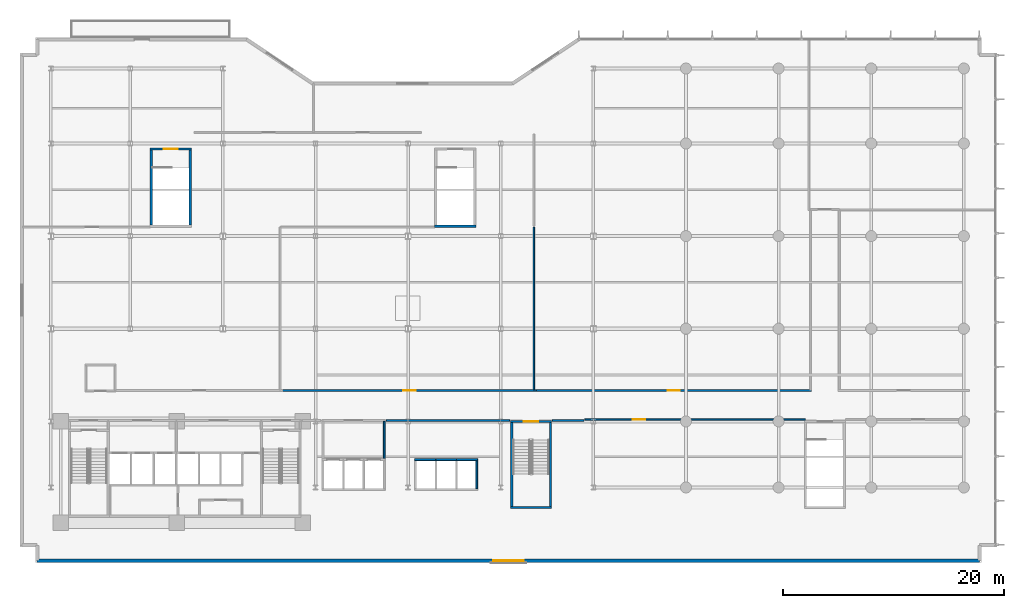
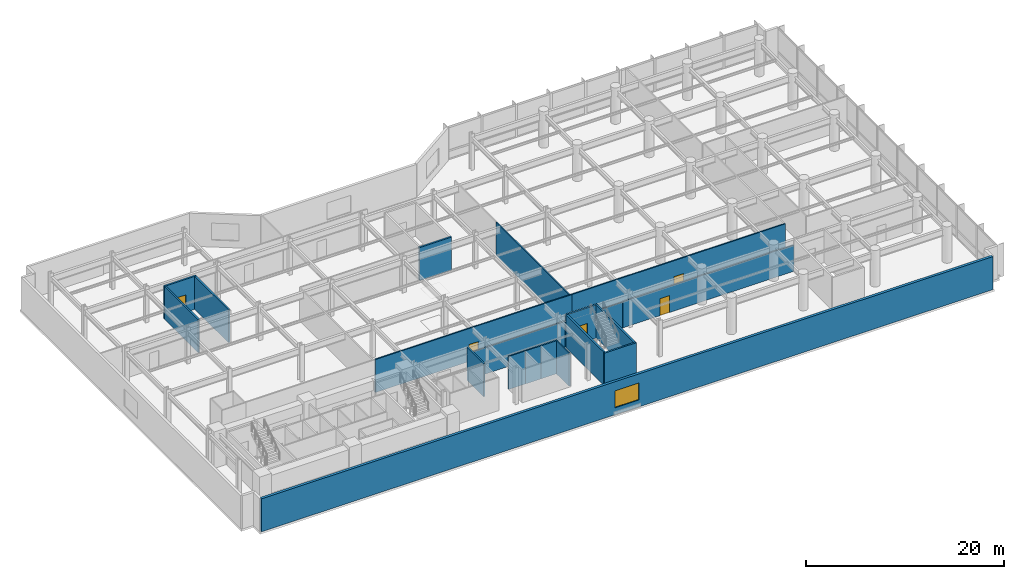
# One storey, part 16 of 23: 20 walls, 5 doors, 1 window, 6 openings.
"""IFC4 building model written with IfcOpenShell, lengths in metres."""

from ifc_helpers import new_model, si_unit, direction, frame, frame_2d, origin, place, context, subcontext, project, spatial, rectangle, extrude, material, layer, layer_set, type_object, element, fill, save


model = new_model("IFC4")

# Units and contexts
model_context = context("Model", 3, precision=1e-05, world=origin(), true_north=direction((0.0, 1.0)))
body_context = subcontext(model_context, "Body", "Model", "MODEL_VIEW")
ifc_project = project(units=[si_unit("LENGTHUNIT", "METRE"), si_unit("AREAUNIT", "SQUARE_METRE"), si_unit("VOLUMEUNIT", "CUBIC_METRE"), si_unit("PLANEANGLEUNIT", "RADIAN"), si_unit("MASSUNIT", "GRAM", prefix="KILO")], contexts=[model_context])

# Site, building, storey
site_placement = place(None, origin())
site = spatial("IfcSite", under=ifc_project, at=site_placement, CompositionType="ELEMENT")
building_placement = place(site_placement, origin())
building = spatial("IfcBuilding", under=site, at=building_placement, Name="Varnakote Quay Hospital", CompositionType="ELEMENT")
storey_placement = place(building_placement, frame((0.0, 0.0, 18.0)))
storey = spatial("IfcBuildingStorey", under=building, at=storey_placement, Name="L04", CompositionType="ELEMENT", Elevation=18.0)

# Walls
ifc_material_1 = material(Name="Fire-rated acoustic gypsum stud wall", Category="gypsum")
ifc_layer_1 = layer(ifc_material_1, 0.159912109375)
ifc_layer_set_1 = layer_set([ifc_layer_1], Name="Fire-rated acoustic gypsum stud wall")
wall_type_1 = type_object("IfcWallType", Name="WL-COMP-160", PredefinedType="PARTITIONING", material=ifc_layer_set_1)
wall_1_placement = place(storey_placement, frame((31.429931640625, 8.610107421875, 0.0), z_axis=(0.0, 0.0, 1.0), x_axis=(0.0, 1.0, 0.0)))
element("IfcWall", 1, at=wall_1_placement, inside=storey, type_object=wall_type_1, Name="L04 Low-Rise Lift Lobby East Wall", PredefinedType="PARTITIONING", context=body_context, shape_type="SweptSolid", body=[
    extrude(rectangle(XDim=3.389892578125, YDim=0.159912109375, at=frame_2d((1.69482421875, 0.0))), origin(), (0.0, 0.0, 1.0), 4.080078125),
])
wall_2_placement = place(storey_placement, frame((31.6298828125, 12.080078125, 0.0), z_axis=(0.0, 0.0, 1.0), x_axis=(1.0, 0.0, 0.0)))
element("IfcWall", 2, at=wall_2_placement, inside=storey, type_object=wall_type_1, Name="L04 Corridor South Gap Wall", PredefinedType="PARTITIONING", context=body_context, shape_type="SweptSolid", body=[
    extrude(rectangle(XDim=11.180908203125, YDim=0.159912109375, at=frame_2d((5.59033203125, 0.0))), origin(), (0.0, 0.0, 1.0), 3.2548828125),
])
wall_3_placement = place(storey_placement, frame((46.689208984375, 12.080078125, 0.0), z_axis=(0.0, 0.0, 1.0), x_axis=(1.0, 0.0, 0.0)))
element("IfcWall", 3, at=wall_3_placement, inside=storey, type_object=wall_type_1, Name="L04 Corridor South Gap Wall", PredefinedType="PARTITIONING", context=body_context, shape_type="SweptSolid", body=[
    extrude(rectangle(XDim=2.843017578125, YDim=0.159912109375, at=frame_2d((1.42138671875, 0.0))), origin(), (0.0, 0.0, 1.0), 3.2548828125),
])

# Wall, opening, window
ifc_material_2 = material(Name="Precast concrete N50 (f'c 50 MPa)", Category="concrete")
ifc_layer_2 = layer(ifc_material_2, 0.300048828125)
ifc_layer_set_2 = layer_set([ifc_layer_2], Name="Precast concrete N50 (f'c 50 MPa)")
wall_type_2 = type_object("IfcWallType", Name="WL-EXT-BRICK-300", PredefinedType="STANDARD", material=ifc_layer_set_2)
wall_4_placement = place(storey_placement, frame((-0.0400390625, -0.639892578125, 0.0), z_axis=(0.0, 0.0, 1.0), x_axis=(1.0, 0.0, 0.0)))
wall_4 = element("IfcWall", 4, at=wall_4_placement, inside=storey, type_object=wall_type_2, Name="L04 Brick-Faced Precast Exterior Wall", PredefinedType="STANDARD", context=body_context, shape_type="SweptSolid", body=[
    extrude(rectangle(XDim=85.47998046875, YDim=0.300048828125, at=frame_2d((42.739990234375, 0.0))), origin(), (0.0, 0.0, 1.0), 4.080078125),
])
opening_1_placement = place(wall_4_placement, frame((41.340087890625, 0.0, 0.85009765625)))
opening_1 = element("IfcOpeningElement", 5, at=opening_1_placement, cuts=wall_4, Name="Opening WN-0025", PredefinedType="OPENING", context=body_context, shape_type="SweptSolid", body=[
    extrude(rectangle(XDim=2.800048828125, YDim=2.10009765625, at=frame_2d((1.39990234375, 1.050048828125))), frame((0.0, 0.159912109375, 0.0), z_axis=(0.0, -1.0, 0.0), x_axis=(1.0, 0.0, 0.0)), (0.0, 0.0, 1.0), 0.320068359375),
])
ifc_material_3 = material(Name="Double-glazed acoustic laminated glass", Category="glass")
window_type = type_object("IfcWindowType", Name="WIN-POD-2800x2100", PartitioningType="SINGLE_PANEL", PredefinedType="WINDOW", material=ifc_material_3)
window_placement = place(opening_1_placement, origin())
window = element("IfcWindow", 6, at=window_placement, inside=storey, type_object=window_type, Name="L04 Solar-Control Clinical Window", OverallHeight=2.10009765625, OverallWidth=2.800048828125, PartitioningType="SINGLE_PANEL", PredefinedType="WINDOW", context=body_context, shape_type="SweptSolid", body=[
    extrude(rectangle(XDim=2.800048828125, YDim=2.10009765625, at=frame_2d((1.39990234375, 1.050048828125))), frame((0.0, 0.030029296875, 0.0), z_axis=(0.0, -1.0, 0.0), x_axis=(1.0, 0.0, 0.0)), (0.0, 0.0, 1.0), 0.06005859375),
])
fill(opening_1, window)

# Walls
ifc_material_4 = material(Name="Concrete N50 (f'c 50 MPa)", Category="concrete")
ifc_layer_3 = layer(ifc_material_4, 0.159912109375)
ifc_layer_set_3 = layer_set([ifc_layer_3], Name="Concrete N50 (f'c 50 MPa)")
wall_type_3 = type_object("IfcWallType", Name="WL-SHAFT-N50-160", PredefinedType="SHEAR", material=ifc_layer_set_3)
wall_5_placement = place(storey_placement, frame((39.830078125, 5.89990234375, 0.0), z_axis=(0.0, 0.0, 1.0), x_axis=(0.0, 1.0, 0.0)))
element("IfcWall", 7, at=wall_5_placement, inside=storey, type_object=wall_type_3, Name="L04 MID Lift Bank East Shear Wall", PredefinedType="SHEAR", context=body_context, shape_type="SweptSolid", body=[
    extrude(rectangle(XDim=2.550048828125, YDim=0.159912109375, at=frame_2d((1.27490234375, 0.0))), origin(), (0.0, 0.0, 1.0), 4.080078125),
])
wall_6_placement = place(storey_placement, frame((34.18994140625, 8.530029296875, 0.0), z_axis=(0.0, 0.0, 1.0), x_axis=(1.0, 0.0, 0.0)))
element("IfcWall", 8, at=wall_6_placement, inside=storey, type_object=wall_type_3, Name="L04 LF-PM1 Hoistway Front Wall", PredefinedType="SHEAR", context=body_context, shape_type="SweptSolid", body=[
    extrude(rectangle(XDim=1.93505859375, YDim=0.159912109375, at=frame_2d((0.967529296875, 0.0))), origin(), (0.0, 0.0, 1.0), 4.080078125),
])
wall_7_placement = place(storey_placement, frame((36.125, 8.530029296875, 0.0), z_axis=(0.0, 0.0, 1.0), x_axis=(1.0, 0.0, 0.0)))
element("IfcWall", 9, at=wall_7_placement, inside=storey, type_object=wall_type_3, Name="L04 LF-PM2 Hoistway Front Wall", PredefinedType="SHEAR", context=body_context, shape_type="SweptSolid", body=[
    extrude(rectangle(XDim=1.85009765625, YDim=0.159912109375, at=frame_2d((0.925048828125, 0.0))), origin(), (0.0, 0.0, 1.0), 4.080078125),
])
wall_8_placement = place(storey_placement, frame((37.97509765625, 8.530029296875, 0.0), z_axis=(0.0, 0.0, 1.0), x_axis=(1.0, 0.0, 0.0)))
element("IfcWall", 10, at=wall_8_placement, inside=storey, type_object=wall_type_3, Name="L04 LF-PM3 Hoistway Front Wall", PredefinedType="SHEAR", context=body_context, shape_type="SweptSolid", body=[
    extrude(rectangle(XDim=1.934814453125, YDim=0.159912109375, at=frame_2d((0.96728515625, 0.0))), origin(), (0.0, 0.0, 1.0), 4.080078125),
])
ifc_material_5 = material(Name="Concrete N50 (f'c 50 MPa)", Category="concrete")
ifc_layer_4 = layer(ifc_material_5, 0.199951171875)
ifc_layer_set_4 = layer_set([ifc_layer_4], Name="Concrete N50 (f'c 50 MPa)")
wall_type_4 = type_object("IfcWallType", Name="WL-SHAFT-N50-200", PredefinedType="SHEAR", material=ifc_layer_set_4)
wall_9_placement = place(storey_placement, frame((42.89990234375, 4.199951171875, 0.0), z_axis=(0.0, 0.0, 1.0), x_axis=(1.0, 0.0, 0.0)))
element("IfcWall", 11, at=wall_9_placement, inside=storey, type_object=wall_type_4, Name="L04 Stair ST3 South Shaft Wall", PredefinedType="SHEAR", context=body_context, shape_type="SweptSolid", body=[
    extrude(rectangle(XDim=3.7001953125, YDim=0.199951171875, at=frame_2d((1.85009765625, 0.0))), origin(), (0.0, 0.0, 1.0), 4.080078125),
])
for number, where, z_axis, x_axis, name in (
    (12, (43.0, 4.300048828125, 0.0), (0.0, 0.0, 1.0), (0.0, 1.0, 0.0), "L04 Stair ST3 West Shaft Wall"),
    (13, (46.5, 4.300048828125, 0.0), (0.0, 0.0, 1.0), (0.0, 1.0, 0.0), "L04 Stair ST3 East Shaft Wall"),
):
    element("IfcWall", number, at=place(storey_placement, frame(where, z_axis=z_axis, x_axis=x_axis)), inside=storey, type_object=wall_type_4, Name=name, PredefinedType="SHEAR", context=body_context, shape_type="SweptSolid", body=[
        extrude(rectangle(XDim=7.599853515625, YDim=0.199951171875, at=frame_2d((3.7998046875, 0.0))), origin(), (0.0, 0.0, 1.0), 4.080078125),
    ])

# Wall, opening, door
wall_10_placement = place(storey_placement, frame((42.89990234375, 12.0, 0.0), z_axis=(0.0, 0.0, 1.0), x_axis=(1.0, 0.0, 0.0)))
wall_10 = element("IfcWall", 14, at=wall_10_placement, inside=storey, type_object=wall_type_4, Name="L04 Stair ST3 Exit Wall", PredefinedType="SHEAR", context=body_context, shape_type="SweptSolid", body=[
    extrude(rectangle(XDim=3.7001953125, YDim=0.199951171875, at=frame_2d((1.85009765625, 0.0))), origin(), (0.0, 0.0, 1.0), 4.080078125),
])
opening_2_placement = place(wall_10_placement, frame((1.199951171875, 0.0, 0.0)))
opening_2 = element("IfcOpeningElement", 15, at=opening_2_placement, cuts=wall_10, Name="Opening D-ST3-L04", PredefinedType="OPENING", context=body_context, shape_type="SweptSolid", body=[
    extrude(rectangle(XDim=1.300048828125, YDim=2.14990234375, at=frame_2d((0.64990234375, 1.074951171875))), frame((0.0, 0.10986328125, 0.0), z_axis=(0.0, -1.0, 0.0), x_axis=(1.0, 0.0, 0.0)), (0.0, 0.0, 1.0), 0.219970703125),
])
ifc_material_6 = material(Name="Fire-rated ceramic-glazed timber exit door", Category="wood")
door_type_1 = type_object("IfcDoorType", Name="DR-STAIR-FD60S-1300x2150", OperationType="NOTDEFINED", PredefinedType="DOOR", material=ifc_material_6)
door_1_placement = place(opening_2_placement, origin())
door_1 = element("IfcDoor", 16, at=door_1_placement, inside=storey, type_object=door_type_1, Name="L04 Stair ST3 Fire Exit Door", OperationType="SINGLE_SWING_LEFT", OverallHeight=2.14990234375, OverallWidth=1.300048828125, PredefinedType="DOOR", context=body_context, shape_type="SweptSolid", body=[
    extrude(rectangle(XDim=1.300048828125, YDim=2.14990234375, at=frame_2d((0.64990234375, 1.074951171875))), frame((0.0, 0.02490234375, 0.0), z_axis=(0.0, -1.0, 0.0), x_axis=(1.0, 0.0, 0.0)), (0.0, 0.0, 1.0), 0.050048828125),
])
fill(opening_2, door_1)

# Walls
for number, where, z_axis, x_axis, name in (
    (17, (10.300048828125, 29.800048828125, 0.0), (0.0, 0.0, 1.0), (0.0, 1.0, 0.0), "L04 Stair ST4 West Shaft Wall"),
    (18, (13.840087890625, 29.800048828125, 0.0), (0.0, 0.0, 1.0), (0.0, 1.0, 0.0), "L04 Stair ST4 East Shaft Wall"),
):
    element("IfcWall", number, at=place(storey_placement, frame(where, z_axis=z_axis, x_axis=x_axis)), inside=storey, type_object=wall_type_4, Name=name, PredefinedType="SHEAR", context=body_context, shape_type="SweptSolid", body=[
        extrude(rectangle(XDim=6.800048828125, YDim=0.199951171875, at=frame_2d((3.39990234375, 0.0))), origin(), (0.0, 0.0, 1.0), 4.080078125),
    ])

# Wall, opening, door
wall_11_placement = place(storey_placement, frame((10.199951171875, 36.699951171875, 0.0), z_axis=(0.0, 0.0, 1.0), x_axis=(1.0, 0.0, 0.0)))
wall_11 = element("IfcWall", 19, at=wall_11_placement, inside=storey, type_object=wall_type_4, Name="L04 Stair ST4 Exit Wall", PredefinedType="SHEAR", context=body_context, shape_type="SweptSolid", body=[
    extrude(rectangle(XDim=3.739990234375, YDim=0.199951171875, at=frame_2d((1.8701171875, 0.0))), origin(), (0.0, 0.0, 1.0), 4.080078125),
])
opening_3_placement = place(wall_11_placement, frame((1.219970703125, 0.0, 0.0)))
opening_3 = element("IfcOpeningElement", 20, at=opening_3_placement, cuts=wall_11, Name="Opening D-ST4-L04", PredefinedType="OPENING", context=body_context, shape_type="SweptSolid", body=[
    extrude(rectangle(XDim=1.300048828125, YDim=2.14990234375, at=frame_2d((0.64990234375, 1.074951171875))), frame((0.0, 0.10986328125, 0.0), z_axis=(0.0, -1.0, 0.0), x_axis=(1.0, 0.0, 0.0)), (0.0, 0.0, 1.0), 0.219970703125),
])
door_2_placement = place(opening_3_placement, origin())
door_2 = element("IfcDoor", 21, at=door_2_placement, inside=storey, type_object=door_type_1, Name="L04 Stair ST4 Fire Exit Door", OperationType="SINGLE_SWING_LEFT", OverallHeight=2.14990234375, OverallWidth=1.300048828125, PredefinedType="DOOR", context=body_context, shape_type="SweptSolid", body=[
    extrude(rectangle(XDim=1.300048828125, YDim=2.14990234375, at=frame_2d((0.64990234375, 1.074951171875))), frame((0.0, 0.02490234375, 0.0), z_axis=(0.0, -1.0, 0.0), x_axis=(1.0, 0.0, 0.0)), (0.0, 0.0, 1.0), 0.050048828125),
])
fill(opening_3, door_2)

# Walls
wall_12_placement = place(storey_placement, frame((36.0, 29.699951171875, 0.0), z_axis=(0.0, 0.0, 1.0), x_axis=(1.0, 0.0, 0.0)))
element("IfcWall", 22, at=wall_12_placement, inside=storey, type_object=wall_type_4, Name="L04 Stair ST5 South Shaft Wall", PredefinedType="SHEAR", context=body_context, shape_type="SweptSolid", body=[
    extrude(rectangle(XDim=3.739990234375, YDim=0.199951171875, at=frame_2d((1.8701171875, 0.0))), origin(), (0.0, 0.0, 1.0), 4.080078125),
])
ifc_material_7 = material(Name="Smoke-proof clinical partition", Category="gypsum")
ifc_layer_5 = layer(ifc_material_7, 0.135009765625)
ifc_layer_set_5 = layer_set([ifc_layer_5], Name="Smoke-proof clinical partition")
wall_type_5 = type_object("IfcWallType", Name="WL-SMOKE-135", PredefinedType="PARTITIONING", material=ifc_layer_set_5)
wall_13_placement = place(storey_placement, frame((45.0, 14.864990234375, 0.0), z_axis=(0.0, 0.0, 1.0), x_axis=(0.0, 1.0, 0.0)))
element("IfcWall", 23, at=wall_13_placement, inside=storey, type_object=wall_type_5, Name="L04 Clinical Interior Partition", PredefinedType="PARTITIONING", context=body_context, shape_type="SweptSolid", body=[
    extrude(rectangle(XDim=14.755126953125, YDim=0.135009765625, at=frame_2d((7.37744140625, 0.0))), origin(), (0.0, 0.0, 1.0), 4.080078125),
])

# Wall, opening, door
ifc_material_8 = material(Name="Fire-rated clinical gypsum partition", Category="gypsum")
ifc_layer_6 = layer(ifc_material_8, 0.14990234375)
ifc_layer_set_6 = layer_set([ifc_layer_6], Name="Fire-rated clinical gypsum partition")
wall_type_6 = type_object("IfcWallType", Name="WL-WARD-150", PredefinedType="PARTITIONING", material=ifc_layer_set_6)
wall_14_placement = place(storey_placement, frame((49.62158203125, 12.159912109375, 0.0), z_axis=(0.0, 0.0, 1.0), x_axis=(1.0, 0.0, 0.0)))
wall_14 = element("IfcWall", 24, at=wall_14_placement, inside=storey, type_object=wall_type_6, Name="L04 Clinical Interior Partition", PredefinedType="PARTITIONING", context=body_context, shape_type="SweptSolid", body=[
    extrude(rectangle(XDim=20.0068359375, YDim=0.14990234375, at=frame_2d((10.00341796875, 0.0))), origin(), (0.0, 0.0, 1.0), 3.2548828125),
])
opening_4_placement = place(wall_14_placement, frame((4.364013671875, 0.0, 0.0)))
opening_4 = element("IfcOpeningElement", 25, at=opening_4_placement, cuts=wall_14, Name="Opening D-L04-ENIC", PredefinedType="OPENING", context=body_context, shape_type="SweptSolid", body=[
    extrude(rectangle(XDim=1.10009765625, YDim=2.10009765625, at=frame_2d((0.550048828125, 1.050048828125))), frame((0.0, 0.0849609375, 0.0), z_axis=(0.0, -1.0, 0.0), x_axis=(1.0, 0.0, 0.0)), (0.0, 0.0, 1.0), 0.169921875),
])
ifc_material_9 = material(Name="Acoustic timber clinical consult door", Category="wood")
door_type_2 = type_object("IfcDoorType", Name="DR-CLIN-FD30S-1100x2100", OperationType="NOTDEFINED", PredefinedType="DOOR", material=ifc_material_9)
door_3_placement = place(opening_4_placement, origin())
door_3 = element("IfcDoor", 26, at=door_3_placement, inside=storey, type_object=door_type_2, Name="L04 Neonatal Intensive Care Step-Down Treatment Unit Door", OperationType="SINGLE_SWING_LEFT", OverallHeight=2.10009765625, OverallWidth=1.10009765625, PredefinedType="DOOR", context=body_context, shape_type="SweptSolid", body=[
    extrude(rectangle(XDim=1.10009765625, YDim=2.10009765625, at=frame_2d((0.550048828125, 1.050048828125))), frame((0.0, 0.02490234375, 0.0), z_axis=(0.0, -1.0, 0.0), x_axis=(1.0, 0.0, 0.0)), (0.0, 0.0, 1.0), 0.050048828125),
])
fill(opening_4, door_3)

wall_15_placement = place(storey_placement, frame((45.218017578125, 14.800048828125, 0.0), z_axis=(0.0, 0.0, 1.0), x_axis=(-1.0, 0.0, 0.0)))
wall_15 = element("IfcWall", 27, at=wall_15_placement, inside=storey, type_object=wall_type_6, Name="L04 Clinical Interior Partition", PredefinedType="PARTITIONING", context=body_context, shape_type="SweptSolid", body=[
    extrude(rectangle(XDim=22.998046875, YDim=0.14990234375, at=frame_2d((11.4990234375, 0.0))), origin(), (0.0, 0.0, 1.0), 4.080078125),
])
opening_5_placement = place(wall_15_placement, frame((10.948974609375, 0.0, 0.0)))
opening_5 = element("IfcOpeningElement", 28, at=opening_5_placement, cuts=wall_15, Name="Opening D-L04-PICU", PredefinedType="OPENING", context=body_context, shape_type="SweptSolid", body=[
    extrude(rectangle(XDim=1.10009765625, YDim=2.10009765625, at=frame_2d((0.550048828125, 1.050048828125))), frame((0.0, 0.0849609375, 0.0), z_axis=(0.0, -1.0, 0.0), x_axis=(1.0, 0.0, 0.0)), (0.0, 0.0, 1.0), 0.169921875),
])
door_4_placement = place(opening_5_placement, origin())
door_4 = element("IfcDoor", 29, at=door_4_placement, inside=storey, type_object=door_type_2, Name="L04 Paediatric Intensive Care Treatment Unit Door", OperationType="SINGLE_SWING_RIGHT", OverallHeight=2.10009765625, OverallWidth=1.10009765625, PredefinedType="DOOR", context=body_context, shape_type="SweptSolid", body=[
    extrude(rectangle(XDim=1.10009765625, YDim=2.10009765625, at=frame_2d((0.550048828125, 1.050048828125))), frame((0.0, 0.02490234375, 0.0), z_axis=(0.0, -1.0, 0.0), x_axis=(1.0, 0.0, 0.0)), (0.0, 0.0, 1.0), 0.050048828125),
])
fill(opening_5, door_4)

wall_16_placement = place(storey_placement, frame((70.16796875, 14.800048828125, 0.0), z_axis=(0.0, 0.0, 1.0), x_axis=(-1.0, 0.0, 0.0)))
wall_16 = element("IfcWall", 30, at=wall_16_placement, inside=storey, type_object=wall_type_6, Name="L04 Clinical Interior Partition", PredefinedType="PARTITIONING", context=body_context, shape_type="SweptSolid", body=[
    extrude(rectangle(XDim=24.947998046875, YDim=0.14990234375, at=frame_2d((12.47412109375, 0.0))), origin(), (0.0, 0.0, 1.0), 4.080078125),
])
opening_6_placement = place(wall_16_placement, frame((11.924072265625, 0.0, 0.0)))
opening_6 = element("IfcOpeningElement", 31, at=opening_6_placement, cuts=wall_16, Name="Opening D-L04-CONF", PredefinedType="OPENING", context=body_context, shape_type="SweptSolid", body=[
    extrude(rectangle(XDim=1.10009765625, YDim=2.10009765625, at=frame_2d((0.550048828125, 1.050048828125))), frame((0.0, 0.0849609375, 0.0), z_axis=(0.0, -1.0, 0.0), x_axis=(1.0, 0.0, 0.0)), (0.0, 0.0, 1.0), 0.169921875),
])
door_5_placement = place(opening_6_placement, origin())
door_5 = element("IfcDoor", 32, at=door_5_placement, inside=storey, type_object=door_type_2, Name="L04 Clinical Education Lecture Theatre Door", OperationType="SINGLE_SWING_LEFT", OverallHeight=2.10009765625, OverallWidth=1.10009765625, PredefinedType="DOOR", context=body_context, shape_type="SweptSolid", body=[
    extrude(rectangle(XDim=1.10009765625, YDim=2.10009765625, at=frame_2d((0.550048828125, 1.050048828125))), frame((0.0, 0.02490234375, 0.0), z_axis=(0.0, -1.0, 0.0), x_axis=(1.0, 0.0, 0.0)), (0.0, 0.0, 1.0), 0.050048828125),
])
fill(opening_6, door_5)

save(model, "model.ifc")
